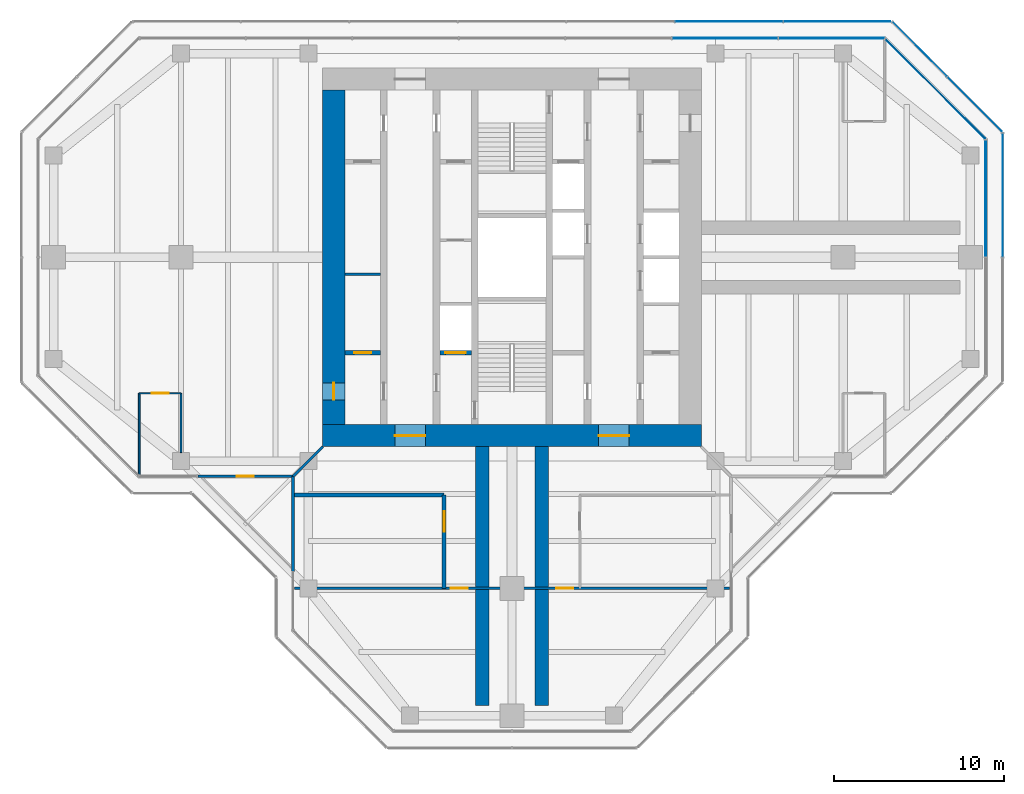
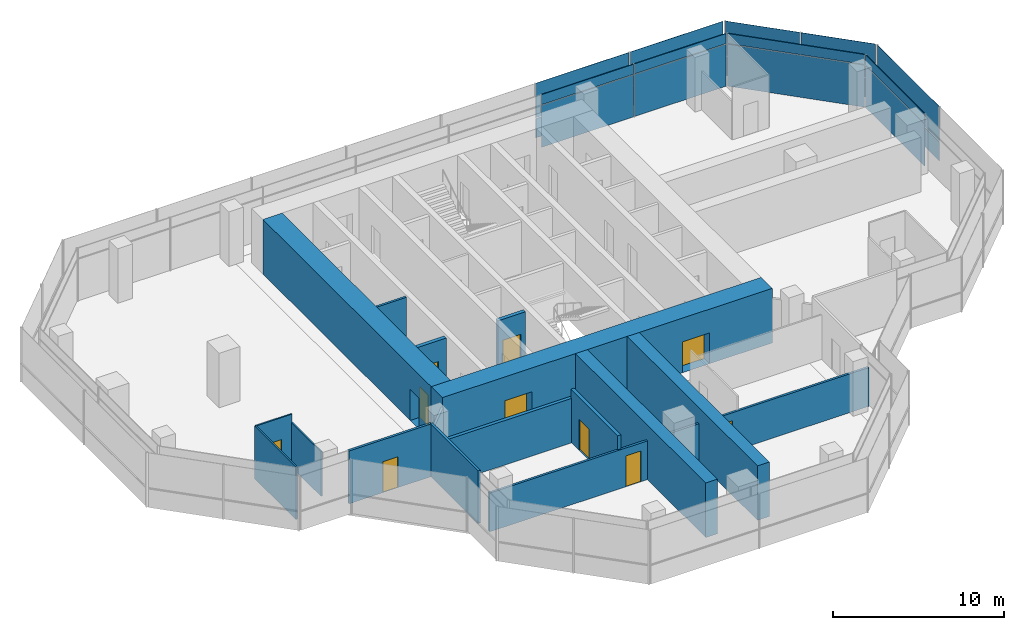
# One storey, part 11 of 15: 18 plates, 16 walls, 10 doors, 10 openings, 6 elements without a shape of their own.
"""IFC4 building model written with IfcOpenShell, lengths in metres."""

from ifc_helpers import new_model, si_unit, direction, frame, frame_2d, origin, origin_2d, place, context, subcontext, project, spatial, rectangle, extrude, material, layer, layer_set, type_object, element, fill, aggregate, save


model = new_model("IFC4")

# Units and contexts
model_context = context("Model", 3, precision=1e-05, world=origin(), true_north=direction((0.0, 1.0)))
body_context = subcontext(model_context, "Body", "Model", "MODEL_VIEW")
ifc_project = project(units=[si_unit("LENGTHUNIT", "METRE"), si_unit("AREAUNIT", "SQUARE_METRE"), si_unit("VOLUMEUNIT", "CUBIC_METRE"), si_unit("PLANEANGLEUNIT", "RADIAN"), si_unit("MASSUNIT", "GRAM", prefix="KILO")], contexts=[model_context])

# Site, building, storey
site_placement = place(None, origin())
site = spatial("IfcSite", under=ifc_project, at=site_placement, CompositionType="ELEMENT")
building_placement = place(site_placement, origin())
building = spatial("IfcBuilding", under=site, at=building_placement, Name="Mizan Broadcast Tower", CompositionType="ELEMENT")
storey_placement = place(building_placement, frame((0.0, 0.0, 286.800048828125)))
storey = spatial("IfcBuildingStorey", under=building, at=storey_placement, Name="L68", CompositionType="ELEMENT", Elevation=286.800048828125)

# Curtain wall, plate
ifc_material_1 = material(Name="Aluminium framed glazing", Category="aluminium")
curtain_wall_type_1 = type_object("IfcCurtainWallType", Name="INNER SKIN TOP ZONE", PredefinedType="USERDEFINED", material=ifc_material_1)
curtain_wall_1_placement = place(storey_placement, origin())
curtain_wall_1 = element("IfcCurtainWall", 1, at=curtain_wall_1_placement, inside=storey, type_object=curtain_wall_type_1, Name="Inner skin top zone L68 E end", ObjectType="INNER SKIN TOP ZONE", PredefinedType="USERDEFINED")
ifc_material_2 = material(Name="Double glazing, clear low-e", Category="glass")
ifc_layer_1 = layer(ifc_material_2, 0.028076171875)
ifc_layer_set_1 = layer_set([ifc_layer_1], Name="Double glazing, clear low-e")
plate_type_1 = type_object("IfcPlateType", Name="INNER SKIN GLAZING UNIT", PredefinedType="CURTAIN_PANEL", material=ifc_layer_set_1)
plate_1_placement = place(storey_placement, frame((27.89990234375, 3.46435546875, 0.0), z_axis=(0.0, 0.0, 1.0), x_axis=(0.0, 1.0, 0.0)))
plate_1 = element("IfcPlate", 2, at=plate_1_placement, type_object=plate_type_1, Name="Inner skin top zone L68 E end panel 2.1", PredefinedType="CURTAIN_PANEL", context=body_context, shape_type="SweptSolid", body=[
    extrude(rectangle(XDim=6.86865234375, YDim=0.028076171875, at=origin_2d()), origin(), (0.0, 0.0, 1.0), 3.0),
])

curtain_wall_2_placement = place(storey_placement, origin())
curtain_wall_2 = element("IfcCurtainWall", 3, at=curtain_wall_2_placement, inside=storey, type_object=curtain_wall_type_1, Name="Inner skin top zone L68 E chamfer", ObjectType="INNER SKIN TOP ZONE", PredefinedType="USERDEFINED")
plate_2_placement = place(storey_placement, frame((24.92919921875, 9.92919921875, 0.0), z_axis=(0.0, 0.0, 1.0), x_axis=(-0.707106781187, 0.707106781187, 0.0)))
plate_2 = element("IfcPlate", 4, at=plate_2_placement, type_object=plate_type_1, Name="Inner skin top zone L68 E chamfer panel 1.1", PredefinedType="CURTAIN_PANEL", context=body_context, shape_type="SweptSolid", body=[
    extrude(rectangle(XDim=8.282470703125, YDim=0.028076171875, at=origin_2d()), origin(), (0.0, 0.0, 1.0), 3.0),
])

# Curtain wall, plates
curtain_wall_3_placement = place(storey_placement, origin())
curtain_wall_3 = element("IfcCurtainWall", 5, at=curtain_wall_3_placement, inside=storey, type_object=curtain_wall_type_1, Name="Inner skin top zone L68 N end", ObjectType="INNER SKIN TOP ZONE", PredefinedType="USERDEFINED")
plate_3_placement = place(storey_placement, frame((18.806640625, 12.89990234375, 0.0), z_axis=(0.0, 0.0, 1.0), x_axis=(-1.0, 0.0, 0.0)))
plate_3 = element("IfcPlate", 6, at=plate_3_placement, type_object=plate_type_1, Name="Inner skin top zone L68 N end panel 1.1", PredefinedType="CURTAIN_PANEL", context=body_context, shape_type="SweptSolid", body=[
    extrude(rectangle(XDim=6.183837890625, YDim=0.028076171875, at=origin_2d()), origin(), (0.0, 0.0, 1.0), 3.0),
])
plate_4_placement = place(storey_placement, frame((12.5478515625, 12.89990234375, 0.0), z_axis=(0.0, 0.0, 1.0), x_axis=(-1.0, 0.0, 0.0)))
plate_4 = element("IfcPlate", 7, at=plate_4_placement, type_object=plate_type_1, Name="Inner skin top zone L68 N end panel 2.1", PredefinedType="CURTAIN_PANEL", context=body_context, shape_type="SweptSolid", body=[
    extrude(rectangle(XDim=6.2138671875, YDim=0.028076171875, at=origin_2d()), origin(), (0.0, 0.0, 1.0), 3.0),
])

# Plate
ifc_material_3 = material(Name="Insulated aluminium spandrel panel, pale anodised", Category="aluminium")
ifc_layer_2 = layer(ifc_material_3, 0.050048828125)
ifc_layer_set_2 = layer_set([ifc_layer_2], Name="Insulated aluminium spandrel panel, pale anodised")
plate_type_2 = type_object("IfcPlateType", Name="INNER SKIN SPANDREL PANEL", PredefinedType="CURTAIN_PANEL", material=ifc_layer_set_2)
plate_5_placement = place(storey_placement, frame((27.89990234375, 3.46435546875, 3.06005859375), z_axis=(0.0, 0.0, 1.0), x_axis=(0.0, 1.0, 0.0)))
plate_5 = element("IfcPlate", 8, at=plate_5_placement, type_object=plate_type_2, Name="Inner skin top zone L68 E end panel 2.2", PredefinedType="CURTAIN_PANEL", context=body_context, shape_type="SweptSolid", body=[
    extrude(rectangle(XDim=6.86865234375, YDim=0.050048828125, at=origin_2d()), origin(), (0.0, 0.0, 1.0), 0.7099609375),
])

aggregate(curtain_wall_1, [plate_1, plate_5])

plate_6_placement = place(storey_placement, frame((24.92919921875, 9.92919921875, 3.06005859375), z_axis=(0.0, 0.0, 1.0), x_axis=(-0.707106781187, 0.707106781187, 0.0)))
plate_6 = element("IfcPlate", 9, at=plate_6_placement, type_object=plate_type_2, Name="Inner skin top zone L68 E chamfer panel 1.2", PredefinedType="CURTAIN_PANEL", context=body_context, shape_type="SweptSolid", body=[
    extrude(rectangle(XDim=8.282470703125, YDim=0.050048828125, at=origin_2d()), origin(), (0.0, 0.0, 1.0), 0.7099609375),
])

aggregate(curtain_wall_2, [plate_2, plate_6])

plate_7_placement = place(storey_placement, frame((18.806640625, 12.89990234375, 3.06005859375), z_axis=(0.0, 0.0, 1.0), x_axis=(-1.0, 0.0, 0.0)))
plate_7 = element("IfcPlate", 10, at=plate_7_placement, type_object=plate_type_2, Name="Inner skin top zone L68 N end panel 1.2", PredefinedType="CURTAIN_PANEL", context=body_context, shape_type="SweptSolid", body=[
    extrude(rectangle(XDim=6.183837890625, YDim=0.050048828125, at=origin_2d()), origin(), (0.0, 0.0, 1.0), 0.7099609375),
])

plate_8_placement = place(storey_placement, frame((12.5478515625, 12.89990234375, 3.06005859375), z_axis=(0.0, 0.0, 1.0), x_axis=(-1.0, 0.0, 0.0)))
plate_8 = element("IfcPlate", 11, at=plate_8_placement, type_object=plate_type_2, Name="Inner skin top zone L68 N end panel 2.2", PredefinedType="CURTAIN_PANEL", context=body_context, shape_type="SweptSolid", body=[
    extrude(rectangle(XDim=6.2138671875, YDim=0.050048828125, at=origin_2d()), origin(), (0.0, 0.0, 1.0), 0.7099609375),
])

aggregate(curtain_wall_3, [plate_3, plate_7, plate_4, plate_8])

# Curtain wall, plates
ifc_material_4 = material(Name="Aluminium framed glazing", Category="aluminium")
curtain_wall_type_2 = type_object("IfcCurtainWallType", Name="OUTER SKIN", PredefinedType="USERDEFINED", material=ifc_material_4)
curtain_wall_4_placement = place(storey_placement, origin())
curtain_wall_4 = element("IfcCurtainWall", 12, at=curtain_wall_4_placement, inside=storey, type_object=curtain_wall_type_2, Name="Outer skin L68 E chamfer", ObjectType="OUTER SKIN", PredefinedType="USERDEFINED")
ifc_material_5 = material(Name="Laminated clear glass", Category="glass")
ifc_layer_3 = layer(ifc_material_5, 0.02001953125)
ifc_layer_set_3 = layer_set([ifc_layer_3], Name="Laminated clear glass")
plate_type_3 = type_object("IfcPlateType", Name="OUTER SKIN CLEAR GLASS", PredefinedType="CURTAIN_PANEL", material=ifc_layer_set_3)
plate_9_placement = place(storey_placement, frame((27.254150390625, 9.018798828125, 0.0), z_axis=(0.0, 0.0, 1.0), x_axis=(-0.707106781187, 0.707106781187, 0.0)))
plate_9 = element("IfcPlate", 13, at=plate_9_placement, type_object=plate_type_3, Name="Outer skin L68 E chamfer panel 1.1", PredefinedType="CURTAIN_PANEL", context=body_context, shape_type="SweptSolid", body=[
    extrude(rectangle(XDim=4.495361328125, YDim=0.02001953125, at=origin_2d()), origin(), (0.0, 0.0, 1.0), 1.3701171875),
])
plate_10_placement = place(storey_placement, frame((27.254150390625, 9.018798828125, 1.43017578125), z_axis=(0.0, 0.0, 1.0), x_axis=(-0.707106781187, 0.707106781187, 0.0)))
plate_10 = element("IfcPlate", 14, at=plate_10_placement, type_object=plate_type_3, Name="Outer skin L68 E chamfer panel 1.2", PredefinedType="CURTAIN_PANEL", context=body_context, shape_type="SweptSolid", body=[
    extrude(rectangle(XDim=4.495361328125, YDim=0.02001953125, at=origin_2d()), origin(), (0.0, 0.0, 1.0), 2.469970703125),
])

curtain_wall_5_placement = place(storey_placement, origin())
curtain_wall_5 = element("IfcCurtainWall", 15, at=curtain_wall_5_placement, inside=storey, type_object=curtain_wall_type_2, Name="Outer skin L68 N end", ObjectType="OUTER SKIN", PredefinedType="USERDEFINED")
plate_11_placement = place(storey_placement, frame((19.15673828125, 13.89990234375, 0.0), z_axis=(0.0, 0.0, 1.0), x_axis=(-1.0, 0.0, 0.0)))
plate_11 = element("IfcPlate", 16, at=plate_11_placement, type_object=plate_type_3, Name="Outer skin L68 N end panel 1.1", PredefinedType="CURTAIN_PANEL", context=body_context, shape_type="SweptSolid", body=[
    extrude(rectangle(XDim=6.272216796875, YDim=0.02001953125, at=origin_2d()), origin(), (0.0, 0.0, 1.0), 1.3701171875),
])
plate_12_placement = place(storey_placement, frame((19.15673828125, 13.89990234375, 1.43017578125), z_axis=(0.0, 0.0, 1.0), x_axis=(-1.0, 0.0, 0.0)))
plate_12 = element("IfcPlate", 17, at=plate_12_placement, type_object=plate_type_3, Name="Outer skin L68 N end panel 1.2", PredefinedType="CURTAIN_PANEL", context=body_context, shape_type="SweptSolid", body=[
    extrude(rectangle(XDim=6.272216796875, YDim=0.02001953125, at=origin_2d()), origin(), (0.0, 0.0, 1.0), 2.469970703125),
])
plate_13_placement = place(storey_placement, frame((12.784423828125, 13.89990234375, 0.0), z_axis=(0.0, 0.0, 1.0), x_axis=(-1.0, 0.0, 0.0)))
plate_13 = element("IfcPlate", 18, at=plate_13_placement, type_object=plate_type_3, Name="Outer skin L68 N end panel 2.1", PredefinedType="CURTAIN_PANEL", context=body_context, shape_type="SweptSolid", body=[
    extrude(rectangle(XDim=6.312255859375, YDim=0.02001953125, at=origin_2d()), origin(), (0.0, 0.0, 1.0), 1.3701171875),
])
plate_14_placement = place(storey_placement, frame((12.784423828125, 13.89990234375, 1.43017578125), z_axis=(0.0, 0.0, 1.0), x_axis=(-1.0, 0.0, 0.0)))
plate_14 = element("IfcPlate", 19, at=plate_14_placement, type_object=plate_type_3, Name="Outer skin L68 N end panel 2.2", PredefinedType="CURTAIN_PANEL", context=body_context, shape_type="SweptSolid", body=[
    extrude(rectangle(XDim=6.312255859375, YDim=0.02001953125, at=origin_2d()), origin(), (0.0, 0.0, 1.0), 2.469970703125),
])
aggregate(curtain_wall_5, [plate_11, plate_12, plate_13, plate_14])

curtain_wall_6_placement = place(storey_placement, origin())
curtain_wall_6 = element("IfcCurtainWall", 20, at=curtain_wall_6_placement, inside=storey, type_object=curtain_wall_type_2, Name="Outer skin L68 E end", ObjectType="OUTER SKIN", PredefinedType="USERDEFINED")
ifc_material_6 = material(Name="Perforated aluminium, pale anodised", Category="aluminium")
ifc_layer_4 = layer(ifc_material_6, 0.011962890625)
ifc_layer_set_4 = layer_set([ifc_layer_4], Name="Perforated aluminium, pale anodised")
plate_type_4 = type_object("IfcPlateType", Name="OUTER SKIN PERFORATED SCREEN", PredefinedType="USERDEFINED", material=ifc_layer_set_4)
plate_15_placement = place(storey_placement, frame((28.89990234375, 3.66650390625, 0.0), z_axis=(0.0, 0.0, 1.0), x_axis=(0.0, 1.0, 0.0)))
plate_15 = element("IfcPlate", 21, at=plate_15_placement, type_object=plate_type_4, Name="Outer skin L68 E end panel 2.1", ObjectType="SCREEN", PredefinedType="USERDEFINED", context=body_context, shape_type="SweptSolid", body=[
    extrude(rectangle(XDim=7.252685546875, YDim=0.011962890625, at=origin_2d()), origin(), (0.0, 0.0, 1.0), 1.3701171875),
])
plate_16_placement = place(storey_placement, frame((28.89990234375, 3.66650390625, 1.43017578125), z_axis=(0.0, 0.0, 1.0), x_axis=(0.0, 1.0, 0.0)))
plate_16 = element("IfcPlate", 22, at=plate_16_placement, type_object=plate_type_4, Name="Outer skin L68 E end panel 2.2", ObjectType="SCREEN", PredefinedType="USERDEFINED", context=body_context, shape_type="SweptSolid", body=[
    extrude(rectangle(XDim=7.252685546875, YDim=0.011962890625, at=origin_2d()), origin(), (0.0, 0.0, 1.0), 2.469970703125),
])
aggregate(curtain_wall_6, [plate_15, plate_16])

# Plate
plate_17_placement = place(storey_placement, frame((24.018798828125, 12.254150390625, 0.0), z_axis=(0.0, 0.0, 1.0), x_axis=(-0.707106781187, 0.707106781187, 0.0)))
plate_17 = element("IfcPlate", 23, at=plate_17_placement, type_object=plate_type_4, Name="Outer skin L68 E chamfer panel 2.1", ObjectType="SCREEN", PredefinedType="USERDEFINED", context=body_context, shape_type="SweptSolid", body=[
    extrude(rectangle(XDim=4.495361328125, YDim=0.011962890625, at=origin_2d()), origin(), (0.0, 0.0, 1.0), 1.3701171875),
])

plate_18_placement = place(storey_placement, frame((24.018798828125, 12.254150390625, 1.43017578125), z_axis=(0.0, 0.0, 1.0), x_axis=(-0.707106781187, 0.707106781187, 0.0)))
plate_18 = element("IfcPlate", 24, at=plate_18_placement, type_object=plate_type_4, Name="Outer skin L68 E chamfer panel 2.2", ObjectType="SCREEN", PredefinedType="USERDEFINED", context=body_context, shape_type="SweptSolid", body=[
    extrude(rectangle(XDim=4.495361328125, YDim=0.011962890625, at=origin_2d()), origin(), (0.0, 0.0, 1.0), 2.469970703125),
])

aggregate(curtain_wall_4, [plate_9, plate_10, plate_17, plate_18])

# Wall
ifc_material_7 = material(Name="Concrete blockwork", Category="masonry")
ifc_layer_5 = layer(ifc_material_7, 0.14990234375)
ifc_layer_set_5 = layer_set([ifc_layer_5], Name="Concrete blockwork")
wall_type_1 = type_object("IfcWallType", Name="CORE PARTITION 150", PredefinedType="SOLIDWALL", material=ifc_layer_set_5)
wall_1_placement = place(storey_placement, frame((-9.85009765625, -1.0, 0.0), z_axis=(0.0, 0.0, 1.0), x_axis=(1.0, 0.0, 0.0)))
element("IfcWall", 25, at=wall_1_placement, inside=storey, type_object=wall_type_1, Name="Core partition CORE/XP1", PredefinedType="SOLIDWALL", context=body_context, shape_type="SweptSolid", body=[
    extrude(rectangle(XDim=2.10009765625, YDim=0.14990234375, at=frame_2d((1.050048828125, 0.0))), origin(), (0.0, 0.0, 1.0), 3.77001953125),
])

# Wall, openings, doors
ifc_material_8 = material(Name="Concrete C70/85", Category="concrete")
ifc_layer_6 = layer(ifc_material_8, 1.300048828125)
ifc_layer_set_6 = layer_set([ifc_layer_6], Name="Concrete C70/85")
wall_type_2 = type_object("IfcWallType", Name="CORE WALL 1300", PredefinedType="SHEAR", material=ifc_layer_set_6)
wall_2_placement = place(storey_placement, frame((11.14990234375, -10.5, 0.0), z_axis=(0.0, 0.0, 1.0), x_axis=(-1.0, 0.0, 0.0)))
wall_2 = element("IfcWall", 26, at=wall_2_placement, inside=storey, type_object=wall_type_2, Name="Core wall S L68", PredefinedType="SHEAR", context=body_context, shape_type="SweptSolid", body=[
    extrude(rectangle(XDim=22.2998046875, YDim=1.300048828125, at=frame_2d((11.14990234375, 0.0))), origin(), (0.0, 0.0, 1.0), 3.89990234375),
])
opening_1_placement = place(wall_2_placement, frame((16.25, 0.0, 0.0)))
opening_1 = element("IfcOpeningElement", 27, at=opening_1_placement, cuts=wall_2, Name="Opening D18F", PredefinedType="OPENING", context=body_context, shape_type="SweptSolid", body=[
    extrude(rectangle(XDim=1.800048828125, YDim=2.199951171875, at=frame_2d((0.89990234375, 1.10009765625))), frame((0.0, 0.659912109375, 0.0), z_axis=(0.0, -1.0, 0.0), x_axis=(1.0, 0.0, 0.0)), (0.0, 0.0, 1.0), 1.320068359375),
])
opening_2_placement = place(wall_2_placement, frame((4.25, 0.0, 0.0)))
opening_2 = element("IfcOpeningElement", 28, at=opening_2_placement, cuts=wall_2, Name="Opening D18F", PredefinedType="OPENING", context=body_context, shape_type="SweptSolid", body=[
    extrude(rectangle(XDim=1.800048828125, YDim=2.199951171875, at=frame_2d((0.89990234375, 1.10009765625))), frame((0.0, 0.659912109375, 0.0), z_axis=(0.0, -1.0, 0.0), x_axis=(1.0, 0.0, 0.0)), (0.0, 0.0, 1.0), 1.320068359375),
])
ifc_material_9 = material(Name="Steel door leaf in steel frame", Category="steel")
door_type_1 = type_object("IfcDoorType", Name="LOBBY DOUBLE DOOR 1800 FD90", OperationType="DOUBLE_DOOR_DOUBLE_SWING", PredefinedType="DOOR", material=ifc_material_9)
door_1_placement = place(opening_1_placement, origin())
door_1 = element("IfcDoor", 29, at=door_1_placement, inside=storey, type_object=door_type_1, Name="West lift lobby south door", OperationType="DOUBLE_DOOR_DOUBLE_SWING", OverallHeight=2.199951171875, OverallWidth=1.800048828125, PredefinedType="DOOR", context=body_context, shape_type="SweptSolid", body=[
    extrude(rectangle(XDim=1.800048828125, YDim=2.199951171875, at=frame_2d((0.89990234375, 1.10009765625))), frame((0.0, 0.02490234375, 0.0), z_axis=(0.0, -1.0, 0.0), x_axis=(1.0, 0.0, 0.0)), (0.0, 0.0, 1.0), 0.050048828125),
])
fill(opening_1, door_1)
door_2_placement = place(opening_2_placement, origin())
door_2 = element("IfcDoor", 30, at=door_2_placement, inside=storey, type_object=door_type_1, Name="East lift lobby south door", OperationType="DOUBLE_DOOR_DOUBLE_SWING", OverallHeight=2.199951171875, OverallWidth=1.800048828125, PredefinedType="DOOR", context=body_context, shape_type="SweptSolid", body=[
    extrude(rectangle(XDim=1.800048828125, YDim=2.199951171875, at=frame_2d((0.89990234375, 1.10009765625))), frame((0.0, 0.02490234375, 0.0), z_axis=(0.0, -1.0, 0.0), x_axis=(1.0, 0.0, 0.0)), (0.0, 0.0, 1.0), 0.050048828125),
])
fill(opening_2, door_2)

# Wall, opening, door
wall_3_placement = place(storey_placement, frame((-10.5, 9.85009765625, 0.0), z_axis=(0.0, 0.0, 1.0), x_axis=(0.0, -1.0, 0.0)))
wall_3 = element("IfcWall", 31, at=wall_3_placement, inside=storey, type_object=wall_type_2, Name="Core wall W L68", PredefinedType="SHEAR", context=body_context, shape_type="SweptSolid", body=[
    extrude(rectangle(XDim=19.7001953125, YDim=1.300048828125, at=frame_2d((9.85009765625, 0.0))), origin(), (0.0, 0.0, 1.0), 3.89990234375),
])
opening_3_placement = place(wall_3_placement, frame((17.25, 0.0, 0.0)))
opening_3 = element("IfcOpeningElement", 32, at=opening_3_placement, cuts=wall_3, Name="Opening D10F", PredefinedType="OPENING", context=body_context, shape_type="SweptSolid", body=[
    extrude(rectangle(XDim=1.0, YDim=2.199951171875, at=frame_2d((0.5, 1.10009765625))), frame((0.0, 0.659912109375, 0.0), z_axis=(0.0, -1.0, 0.0), x_axis=(1.0, 0.0, 0.0)), (0.0, 0.0, 1.0), 1.320068359375),
])
ifc_material_10 = material(Name="Steel door leaf in steel frame", Category="steel")
door_type_2 = type_object("IfcDoorType", Name="FIRE DOOR 1000 FD90", OperationType="SINGLE_SWING_LEFT", PredefinedType="DOOR", material=ifc_material_10)
door_3_placement = place(opening_3_placement, origin())
door_3 = element("IfcDoor", 33, at=door_3_placement, inside=storey, type_object=door_type_2, Name="West core passage arm door", OperationType="SINGLE_SWING_RIGHT", OverallHeight=2.199951171875, OverallWidth=1.0, PredefinedType="DOOR", context=body_context, shape_type="SweptSolid", body=[
    extrude(rectangle(XDim=1.0, YDim=2.199951171875, at=frame_2d((0.5, 1.10009765625))), frame((0.0, 0.02490234375, 0.0), z_axis=(0.0, -1.0, 0.0), x_axis=(1.0, 0.0, 0.0)), (0.0, 0.0, 1.0), 0.050048828125),
])
fill(opening_3, door_3)

ifc_material_11 = material(Name="Aluminium framed glazed screen", Category="aluminium")
ifc_layer_7 = layer(ifc_material_11, 0.159912109375)
ifc_layer_set_7 = layer_set([ifc_layer_7], Name="Aluminium framed glazed screen")
wall_type_3 = type_object("IfcWallType", Name="GLAZED SCREEN WALL 160", PredefinedType="SOLIDWALL", material=ifc_layer_set_7)
wall_4_placement = place(storey_placement, frame((-18.5, -12.89990234375, 0.0), z_axis=(0.0, 0.0, 1.0), x_axis=(1.0, 0.0, 0.0)))
wall_4 = element("IfcWall", 34, at=wall_4_placement, inside=storey, type_object=wall_type_3, Name="Winter garden screen L68 W", PredefinedType="SOLIDWALL", context=body_context, shape_type="SweptSolid", body=[
    extrude(rectangle(XDim=5.60009765625, YDim=0.159912109375, at=frame_2d((2.800048828125, 0.0))), origin(), (0.0, 0.0, 1.0), 3.77001953125),
])
opening_4_placement = place(wall_4_placement, frame((2.300048828125, 0.0, 0.0)))
opening_4 = element("IfcOpeningElement", 35, at=opening_4_placement, cuts=wall_4, Name="Opening WGD", PredefinedType="OPENING", context=body_context, shape_type="SweptSolid", body=[
    extrude(rectangle(XDim=1.0, YDim=2.199951171875, at=frame_2d((0.5, 1.10009765625))), frame((0.0, 0.08984375, 0.0), z_axis=(0.0, -1.0, 0.0), x_axis=(1.0, 0.0, 0.0)), (0.0, 0.0, 1.0), 0.179931640625),
])
ifc_material_12 = material(Name="Aluminium framed glazed door", Category="aluminium")
door_type_3 = type_object("IfcDoorType", Name="WINTER GARDEN DOOR 1000 GLAZED", OperationType="SINGLE_SWING_LEFT", PredefinedType="DOOR", material=ifc_material_12)
door_4_placement = place(opening_4_placement, origin())
door_4 = element("IfcDoor", 36, at=door_4_placement, inside=storey, type_object=door_type_3, Name="Winter garden door L68 W", OperationType="SINGLE_SWING_RIGHT", OverallHeight=2.199951171875, OverallWidth=1.0, PredefinedType="DOOR", context=body_context, shape_type="SweptSolid", body=[
    extrude(rectangle(XDim=1.0, YDim=2.199951171875, at=frame_2d((0.5, 1.10009765625))), frame((0.0, 0.02490234375, 0.0), z_axis=(0.0, -1.0, 0.0), x_axis=(1.0, 0.0, 0.0)), (0.0, 0.0, 1.0), 0.050048828125),
])
fill(opening_4, door_4)

# Wall
wall_5_placement = place(storey_placement, frame((-12.89990234375, -12.89990234375, 0.0), z_axis=(0.0, 0.0, 1.0), x_axis=(0.0, -1.0, 0.0)))
element("IfcWall", 37, at=wall_5_placement, inside=storey, type_object=wall_type_3, Name="Winter garden screen L68 S", PredefinedType="SOLIDWALL", context=body_context, shape_type="SweptSolid", body=[
    extrude(rectangle(XDim=5.60009765625, YDim=0.159912109375, at=frame_2d((2.800048828125, 0.0))), origin(), (0.0, 0.0, 1.0), 3.77001953125),
])

# Wall, opening, door
ifc_material_13 = material(Name="Concrete blockwork", Category="masonry")
ifc_layer_8 = layer(ifc_material_13, 0.25)
ifc_layer_set_8 = layer_set([ifc_layer_8], Name="Concrete blockwork")
wall_type_4 = type_object("IfcWallType", Name="LOBBY ENCLOSURE WALL 250", PredefinedType="SOLIDWALL", material=ifc_layer_set_8)
wall_6_placement = place(storey_placement, frame((-9.85009765625, -5.625, 0.0), z_axis=(0.0, 0.0, 1.0), x_axis=(1.0, 0.0, 0.0)))
wall_6 = element("IfcWall", 38, at=wall_6_placement, inside=storey, type_object=wall_type_4, Name="Lobby enclosure wall CORE/BW1S", PredefinedType="SOLIDWALL", context=body_context, shape_type="SweptSolid", body=[
    extrude(rectangle(XDim=2.10009765625, YDim=0.25, at=frame_2d((1.050048828125, 0.0))), origin(), (0.0, 0.0, 1.0), 3.699951171875),
])
opening_5_placement = place(wall_6_placement, frame((0.550048828125, 0.0, 0.0)))
opening_5 = element("IfcOpeningElement", 39, at=opening_5_placement, cuts=wall_6, Name="Opening D10F", PredefinedType="OPENING", context=body_context, shape_type="SweptSolid", body=[
    extrude(rectangle(XDim=1.0, YDim=2.199951171875, at=frame_2d((0.5, 1.10009765625))), frame((0.0, 0.135009765625, 0.0), z_axis=(0.0, -1.0, 0.0), x_axis=(1.0, 0.0, 0.0)), (0.0, 0.0, 1.0), 0.27001953125),
])
door_5_placement = place(opening_5_placement, origin())
door_5 = element("IfcDoor", 40, at=door_5_placement, inside=storey, type_object=door_type_2, Name="Housekeeping store door", OperationType="SINGLE_SWING_RIGHT", OverallHeight=2.199951171875, OverallWidth=1.0, PredefinedType="DOOR", context=body_context, shape_type="SweptSolid", body=[
    extrude(rectangle(XDim=1.0, YDim=2.199951171875, at=frame_2d((0.5, 1.10009765625))), frame((0.0, 0.02490234375, 0.0), z_axis=(0.0, -1.0, 0.0), x_axis=(1.0, 0.0, 0.0)), (0.0, 0.0, 1.0), 0.050048828125),
])
fill(opening_5, door_5)

wall_7_placement = place(storey_placement, frame((-4.25, -5.625, 0.0), z_axis=(0.0, 0.0, 1.0), x_axis=(1.0, 0.0, 0.0)))
wall_7 = element("IfcWall", 41, at=wall_7_placement, inside=storey, type_object=wall_type_4, Name="Lobby enclosure wall CORE/BW2S", PredefinedType="SOLIDWALL", context=body_context, shape_type="SweptSolid", body=[
    extrude(rectangle(XDim=1.85009765625, YDim=0.25, at=frame_2d((0.925048828125, 0.0))), origin(), (0.0, 0.0, 1.0), 3.699951171875),
])
opening_6_placement = place(wall_7_placement, frame((0.324951171875, 0.0, 0.0)))
opening_6 = element("IfcOpeningElement", 42, at=opening_6_placement, cuts=wall_7, Name="Opening LDF", PredefinedType="OPENING", context=body_context, shape_type="SweptSolid", body=[
    extrude(rectangle(XDim=1.199951171875, YDim=2.199951171875, at=frame_2d((0.60009765625, 1.10009765625))), frame((0.0, 0.135009765625, 0.0), z_axis=(0.0, -1.0, 0.0), x_axis=(1.0, 0.0, 0.0)), (0.0, 0.0, 1.0), 0.27001953125),
])
ifc_material_14 = material(Name="Steel door leaf in steel frame", Category="steel")
door_type_4 = type_object("IfcDoorType", Name="FIREFIGHTING LIFT LANDING DOOR 1200", OperationType="SLIDING_TO_LEFT", PredefinedType="DOOR", material=ifc_material_14)
door_6_placement = place(opening_6_placement, origin())
door_6 = element("IfcDoor", 43, at=door_6_placement, inside=storey, type_object=door_type_4, Name="Landing door FF1", OperationType="SLIDING_TO_LEFT", OverallHeight=2.199951171875, OverallWidth=1.199951171875, PredefinedType="DOOR", context=body_context, shape_type="SweptSolid", body=[
    extrude(rectangle(XDim=1.199951171875, YDim=2.199951171875, at=frame_2d((0.60009765625, 1.10009765625))), frame((0.0, 0.02490234375, 0.0), z_axis=(0.0, -1.0, 0.0), x_axis=(1.0, 0.0, 0.0)), (0.0, 0.0, 1.0), 0.050048828125),
])
fill(opening_6, door_6)

# Wall, openings, doors
ifc_material_15 = material(Name="Gypsum board on steel studs", Category="steel")
ifc_layer_9 = layer(ifc_material_15, 0.14990234375)
ifc_layer_set_9 = layer_set([ifc_layer_9], Name="Gypsum board on steel studs")
wall_type_5 = type_object("IfcWallType", Name="PARTITION 150", PredefinedType="PARTITIONING", material=ifc_layer_set_9)
wall_8_placement = place(storey_placement, frame((-12.820068359375, -19.5, 0.0), z_axis=(0.0, 0.0, 1.0), x_axis=(1.0, 0.0, 0.0)))
wall_8 = element("IfcWall", 44, at=wall_8_placement, inside=storey, type_object=wall_type_5, Name="Partition PT/SX1", PredefinedType="PARTITIONING", context=body_context, shape_type="SweptSolid", body=[
    extrude(rectangle(XDim=25.64013671875, YDim=0.14990234375, at=frame_2d((12.820068359375, 0.0))), origin(), (0.0, 0.0, 1.0), 2.77001953125),
])
opening_7_placement = place(wall_8_placement, frame((15.419921875, 0.0, 0.0)))
opening_7 = element("IfcOpeningElement", 45, at=opening_7_placement, cuts=wall_8, Name="Opening D10", PredefinedType="OPENING", context=body_context, shape_type="SweptSolid", body=[
    extrude(rectangle(XDim=1.0, YDim=2.199951171875, at=frame_2d((0.5, 1.10009765625))), frame((0.0, 0.0849609375, 0.0), z_axis=(0.0, -1.0, 0.0), x_axis=(1.0, 0.0, 0.0)), (0.0, 0.0, 1.0), 0.169921875),
])
opening_8_placement = place(wall_8_placement, frame((9.219970703125, 0.0, 0.0)))
opening_8 = element("IfcOpeningElement", 46, at=opening_8_placement, cuts=wall_8, Name="Opening D10", PredefinedType="OPENING", context=body_context, shape_type="SweptSolid", body=[
    extrude(rectangle(XDim=1.0, YDim=2.199951171875, at=frame_2d((0.5, 1.10009765625))), frame((0.0, 0.0849609375, 0.0), z_axis=(0.0, -1.0, 0.0), x_axis=(1.0, 0.0, 0.0)), (0.0, 0.0, 1.0), 0.169921875),
])
ifc_material_16 = material(Name="Timber door leaf in aluminium frame", Category="wood")
door_type_5 = type_object("IfcDoorType", Name="ROOM DOOR 1000", OperationType="SINGLE_SWING_LEFT", PredefinedType="DOOR", material=ifc_material_16)
door_7_placement = place(opening_7_placement, origin())
door_7 = element("IfcDoor", 47, at=door_7_placement, inside=storey, type_object=door_type_5, Name="Editorial office door", OperationType="SINGLE_SWING_RIGHT", OverallHeight=2.199951171875, OverallWidth=1.0, PredefinedType="DOOR", context=body_context, shape_type="SweptSolid", body=[
    extrude(rectangle(XDim=1.0, YDim=2.199951171875, at=frame_2d((0.5, 1.10009765625))), frame((0.0, 0.02490234375, 0.0), z_axis=(0.0, -1.0, 0.0), x_axis=(1.0, 0.0, 0.0)), (0.0, 0.0, 1.0), 0.050048828125),
])
fill(opening_7, door_7)
door_8_placement = place(opening_8_placement, origin())
door_8 = element("IfcDoor", 48, at=door_8_placement, inside=storey, type_object=door_type_5, Name="Editorial office door", OperationType="SINGLE_SWING_LEFT", OverallHeight=2.199951171875, OverallWidth=1.0, PredefinedType="DOOR", context=body_context, shape_type="SweptSolid", body=[
    extrude(rectangle(XDim=1.0, YDim=2.199951171875, at=frame_2d((0.5, 1.10009765625))), frame((0.0, 0.02490234375, 0.0), z_axis=(0.0, -1.0, 0.0), x_axis=(1.0, 0.0, 0.0)), (0.0, 0.0, 1.0), 0.050048828125),
])
fill(opening_8, door_8)

# Wall
wall_9_placement = place(storey_placement, frame((-11.14990234375, -11.14990234375, 0.0), z_axis=(0.0, 0.0, 1.0), x_axis=(-0.707106781187, -0.707106781187, 0.0)))
element("IfcWall", 49, at=wall_9_placement, inside=storey, type_object=wall_type_5, Name="Partition PT/DGWS", PredefinedType="PARTITIONING", context=body_context, shape_type="SweptSolid", body=[
    extrude(rectangle(XDim=2.460693359375, YDim=0.14990234375, at=frame_2d((1.23046875, 0.0))), origin(), (0.0, 0.0, 1.0), 3.219970703125),
])

# Wall, opening, door
ifc_material_17 = material(Name="Twin steel stud acoustic partition, four layers of gypsum board", Category="steel")
ifc_layer_10 = layer(ifc_material_17, 0.22509765625)
ifc_layer_set_10 = layer_set([ifc_layer_10], Name="Twin steel stud acoustic partition, four layers of gypsum board")
wall_type_6 = type_object("IfcWallType", Name="PARTITION ACOUSTIC 225", PredefinedType="PARTITIONING", material=ifc_layer_set_10)
wall_10_placement = place(storey_placement, frame((-4.0, -14.0, 0.0), z_axis=(0.0, 0.0, 1.0), x_axis=(0.0, -1.0, 0.0)))
wall_10 = element("IfcWall", 50, at=wall_10_placement, inside=storey, type_object=wall_type_6, Name="Acoustic partition PT/SCN0", PredefinedType="PARTITIONING", context=body_context, shape_type="SweptSolid", body=[
    extrude(rectangle(XDim=5.5, YDim=0.22509765625, at=frame_2d((2.75, 0.0))), origin(), (0.0, 0.0, 1.0), 3.77001953125),
])
opening_9_placement = place(wall_10_placement, frame((0.949951171875, 0.0, 0.0)))
opening_9 = element("IfcOpeningElement", 51, at=opening_9_placement, cuts=wall_10, Name="Opening D12A", PredefinedType="OPENING", context=body_context, shape_type="SweptSolid", body=[
    extrude(rectangle(XDim=1.199951171875, YDim=2.199951171875, at=frame_2d((0.60009765625, 1.10009765625))), frame((0.0, 0.12255859375, 0.0), z_axis=(0.0, -1.0, 0.0), x_axis=(1.0, 0.0, 0.0)), (0.0, 0.0, 1.0), 0.2451171875),
])
ifc_material_18 = material(Name="Timber door leaf in aluminium frame", Category="wood")
door_type_6 = type_object("IfcDoorType", Name="ACOUSTIC DOOR 1200", OperationType="SINGLE_SWING_LEFT", PredefinedType="DOOR", material=ifc_material_18)
door_9_placement = place(opening_9_placement, origin())
door_9 = element("IfcDoor", 52, at=door_9_placement, inside=storey, type_object=door_type_6, Name="Editorial board room door", OperationType="SINGLE_SWING_LEFT", OverallHeight=2.199951171875, OverallWidth=1.199951171875, PredefinedType="DOOR", context=body_context, shape_type="SweptSolid", body=[
    extrude(rectangle(XDim=1.199951171875, YDim=2.199951171875, at=frame_2d((0.60009765625, 1.10009765625))), frame((0.0, 0.02490234375, 0.0), z_axis=(0.0, -1.0, 0.0), x_axis=(1.0, 0.0, 0.0)), (0.0, 0.0, 1.0), 0.050048828125),
])
fill(opening_9, door_9)

# Wall
wall_11_placement = place(storey_placement, frame((-4.0, -14.0, 0.0), z_axis=(0.0, 0.0, 1.0), x_axis=(-1.0, 0.0, 0.0)))
element("IfcWall", 53, at=wall_11_placement, inside=storey, type_object=wall_type_6, Name="Acoustic partition PT/SQN1400", PredefinedType="PARTITIONING", context=body_context, shape_type="SweptSolid", body=[
    extrude(rectangle(XDim=8.820068359375, YDim=0.22509765625, at=frame_2d((4.41015625, 0.0))), origin(), (0.0, 0.0, 1.0), 3.179931640625),
])

# Wall, opening, door
ifc_material_19 = material(Name="Glazed aluminium partition on aluminium track", Category="aluminium")
ifc_layer_11 = layer(ifc_material_19, 0.10009765625)
ifc_layer_set_11 = layer_set([ifc_layer_11], Name="Glazed aluminium partition on aluminium track")
wall_type_7 = type_object("IfcWallType", Name="PARTITION GLAZED OFFICE FRONT 100", PredefinedType="PARTITIONING", material=ifc_layer_set_11)
wall_12_placement = place(storey_placement, frame((-19.5, -8.0, 0.0), z_axis=(0.0, 0.0, 1.0), x_axis=(-1.0, 0.0, 0.0)))
wall_12 = element("IfcWall", 54, at=wall_12_placement, inside=storey, type_object=wall_type_7, Name="Glazed office front PT/WCP0", PredefinedType="PARTITIONING", context=body_context, shape_type="SweptSolid", body=[
    extrude(rectangle(XDim=2.458984375, YDim=0.10009765625, at=frame_2d((1.2294921875, 0.0))), origin(), (0.0, 0.0, 1.0), 3.77001953125),
])
opening_10_placement = place(wall_12_placement, frame((0.7294921875, 0.0, 0.0)))
opening_10 = element("IfcOpeningElement", 55, at=opening_10_placement, cuts=wall_12, Name="Opening D10O", PredefinedType="OPENING", context=body_context, shape_type="SweptSolid", body=[
    extrude(rectangle(XDim=1.0, YDim=2.199951171875, at=frame_2d((0.5, 1.10009765625))), frame((0.0, 0.06005859375, 0.0), z_axis=(0.0, -1.0, 0.0), x_axis=(1.0, 0.0, 0.0)), (0.0, 0.0, 1.0), 0.1201171875),
])
ifc_material_20 = material(Name="Timber door leaf in aluminium frame", Category="wood")
door_type_7 = type_object("IfcDoorType", Name="OFFICE DOOR 1000 GLAZED", OperationType="SINGLE_SWING_LEFT", PredefinedType="DOOR", material=ifc_material_20)
door_10_placement = place(opening_10_placement, origin())
door_10 = element("IfcDoor", 56, at=door_10_placement, inside=storey, type_object=door_type_7, Name="Director's office door", OperationType="SINGLE_SWING_LEFT", OverallHeight=2.199951171875, OverallWidth=1.0, PredefinedType="DOOR", context=body_context, shape_type="SweptSolid", body=[
    extrude(rectangle(XDim=1.0, YDim=2.199951171875, at=frame_2d((0.5, 1.10009765625))), frame((0.0, 0.02490234375, 0.0), z_axis=(0.0, -1.0, 0.0), x_axis=(1.0, 0.0, 0.0)), (0.0, 0.0, 1.0), 0.050048828125),
])
fill(opening_10, door_10)

# Walls
wall_13_placement = place(storey_placement, frame((-19.5, -8.0, 0.0), z_axis=(0.0, 0.0, 1.0), x_axis=(0.0, -1.0, 0.0)))
element("IfcWall", 57, at=wall_13_placement, inside=storey, type_object=wall_type_7, Name="Glazed office front PT/WQP1950", PredefinedType="PARTITIONING", context=body_context, shape_type="SweptSolid", body=[
    extrude(rectangle(XDim=3.5, YDim=0.10009765625, at=frame_2d((1.75, 0.0))), origin(), (0.0, 0.0, 1.0), 3.179931640625),
])
wall_14_placement = place(storey_placement, frame((-21.958984375, -8.0, 0.0), z_axis=(0.0, 0.0, 1.0), x_axis=(0.0, -1.0, 0.0)))
element("IfcWall", 58, at=wall_14_placement, inside=storey, type_object=wall_type_7, Name="Glazed office front PT/WQP2196", PredefinedType="PARTITIONING", context=body_context, shape_type="SweptSolid", body=[
    extrude(rectangle(XDim=4.820068359375, YDim=0.10009765625, at=frame_2d((2.41015625, 0.0))), origin(), (0.0, 0.0, 1.0), 3.77001953125),
])
ifc_material_21 = material(Name="Concrete C70/85", Category="concrete")
ifc_layer_12 = layer(ifc_material_21, 0.800048828125)
ifc_layer_set_12 = layer_set([ifc_layer_12], Name="Concrete C70/85")
wall_type_8 = type_object("IfcWallType", Name="SPINE WALL 800", PredefinedType="SHEAR", material=ifc_layer_set_12)
for number, where, z_axis, x_axis, name in (
    (59, (-1.75, -11.14990234375, 0.0), (0.0, 0.0, 1.0), (0.0, -1.0, 0.0), "Spine wall SR L68"),
    (60, (1.75, -11.14990234375, 0.0), (0.0, 0.0, 1.0), (0.0, -1.0, 0.0), "Spine wall SL L68"),
):
    element("IfcWall", number, at=place(storey_placement, frame(where, z_axis=z_axis, x_axis=x_axis)), inside=storey, type_object=wall_type_8, Name=name, PredefinedType="SHEAR", context=body_context, shape_type="SweptSolid", body=[
        extrude(rectangle(XDim=15.25, YDim=0.800048828125, at=frame_2d((7.625, 0.0))), origin(), (0.0, 0.0, 1.0), 3.89990234375),
    ])

save(model, "model.ifc")
